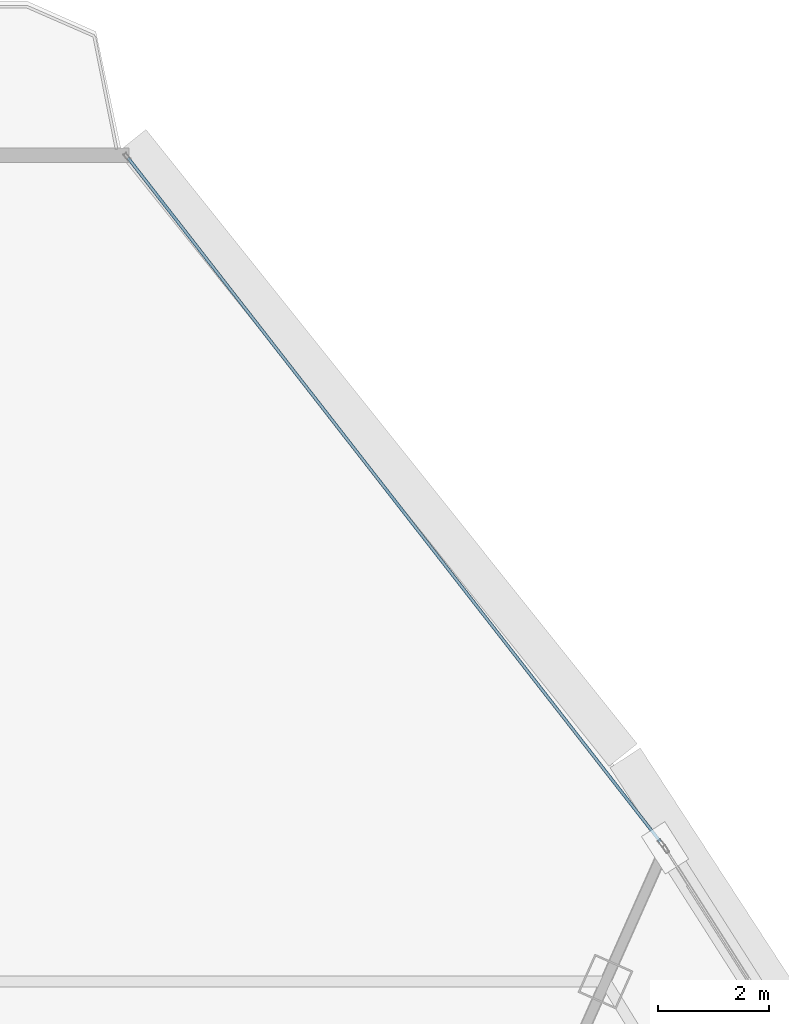
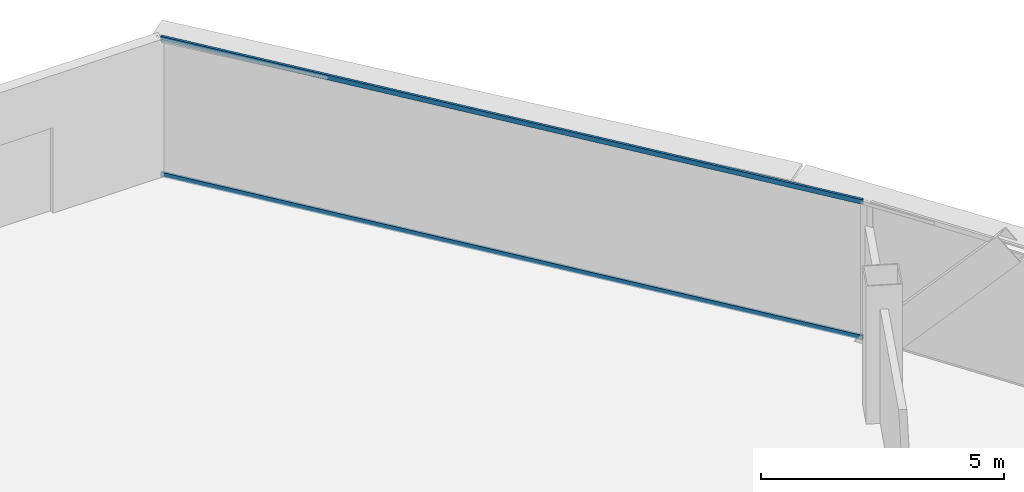
# One storey, part 27 of 40: 2 members, 1 element without a shape of its own.
"""IFC4 building model written with IfcOpenShell, lengths in metres."""

from ifc_helpers import new_model, si_unit, direction, frame, origin, origin_2d, place, context, subcontext, project, spatial, hollow_rectangle, extrude, source, transform, mapped, material, layer, layer_set, material_profile, profile_set, type_object, element, aggregate, save


model = new_model("IFC4")

# Units and contexts
model_context = context("Model", 3, precision=1e-05, world=origin(), true_north=direction((0.0, 1.0)))
body_context = subcontext(model_context, "Body", "Model", "MODEL_VIEW")
ifc_project = project(units=[si_unit("LENGTHUNIT", "METRE"), si_unit("AREAUNIT", "SQUARE_METRE"), si_unit("VOLUMEUNIT", "CUBIC_METRE"), si_unit("PLANEANGLEUNIT", "RADIAN"), si_unit("MASSUNIT", "GRAM", prefix="KILO"), si_unit("THERMODYNAMICTEMPERATUREUNIT", "KELVIN"), si_unit("POWERUNIT", "WATT")], contexts=[model_context])

# Site, building, storey
site_placement = place(None, origin())
site = spatial("IfcSite", under=ifc_project, at=site_placement, CompositionType="ELEMENT")
building_placement = place(site_placement, origin())
building = spatial("IfcBuilding", under=site, at=building_placement, Name="Yunzhuo Pagoda Commons", CompositionType="ELEMENT")
storey_placement = place(building_placement, frame((0.0, 0.0, 288.75)))
storey = spatial("IfcBuildingStorey", under=building, at=storey_placement, Name="L72", CompositionType="ELEMENT", Elevation=288.75)

# Curtain wall, members
ifc_material = material(Name="Anodized aluminium 6063-T6", Category="aluminium")
ifc_layer = layer(ifc_material, 0.139892578125)
ifc_layer_set = layer_set([ifc_layer], Name="Anodized aluminium 6063-T6")
curtain_wall_type = type_object("IfcCurtainWallType", Name="CW-HI High-Zone Ribbon Curtain Wall", PredefinedType="NOTDEFINED", material=ifc_layer_set)
curtain_wall_placement = place(storey_placement, origin())
curtain_wall = element("IfcCurtainWall", 1, at=curtain_wall_placement, inside=storey, type_object=curtain_wall_type, Name="L72 curtain wall CW-L72-F2B5", PredefinedType="NOTDEFINED")
ifc_material_profile = material_profile(ifc_material, hollow_rectangle(XDim=0.054931640625, YDim=0.1201171875, WallThickness=0.00341796875, at=origin_2d()), Name="Anodized aluminium 6063-T6")
ifc_profile_set = profile_set([ifc_material_profile], Name="Anodized aluminium 6063-T6")
member_type = type_object("IfcMemberType", Name="CW-HI-T Transom RHS 120x55x3.5", PredefinedType="USERDEFINED", material=ifc_profile_set)
shared_shape = source(origin(), body_context, "Body", "SweptSolid", [
    extrude(hollow_rectangle(XDim=0.054931640625, YDim=0.1201171875, WallThickness=0.00341796875, at=origin_2d()), origin(), (0.0, 0.0, 1.0), 15.608642578125),
])
member_1_placement = place(storey_placement, frame((61.1044921875, 63.426025390625, 0.027587890625), z_axis=(-0.614253513631, 0.789108751055, 0.0), x_axis=(-0.789108751055, -0.614253513631, 0.0)))
member_1 = element("IfcMember", 2, at=member_1_placement, type_object=member_type, Name="CW transom 1.1", ObjectType="TRANSOM", PredefinedType="USERDEFINED", context=body_context, shape_type="MappedRepresentation", body=[
    mapped(shared_shape, transform((0.0, 0.0, 0.0), scale=1.0)),
])
member_2_placement = place(storey_placement, frame((61.1044921875, 63.426025390625, 3.4423828125), z_axis=(-0.614253513631, 0.789108751055, 0.0), x_axis=(-0.789108751055, -0.614253513631, 0.0)))
member_2 = element("IfcMember", 3, at=member_2_placement, type_object=member_type, Name="CW transom 1.2", ObjectType="TRANSOM", PredefinedType="USERDEFINED", context=body_context, shape_type="MappedRepresentation", body=[
    mapped(shared_shape, transform((0.0, 0.0, 0.0), scale=1.0)),
])
aggregate(curtain_wall, [member_1, member_2])

save(model, "model.ifc")
